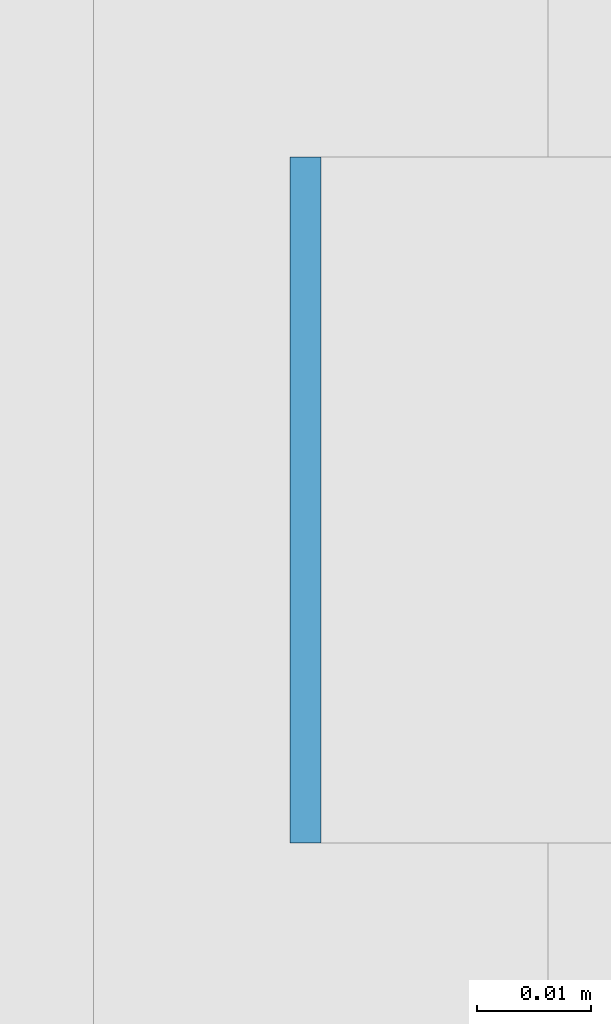
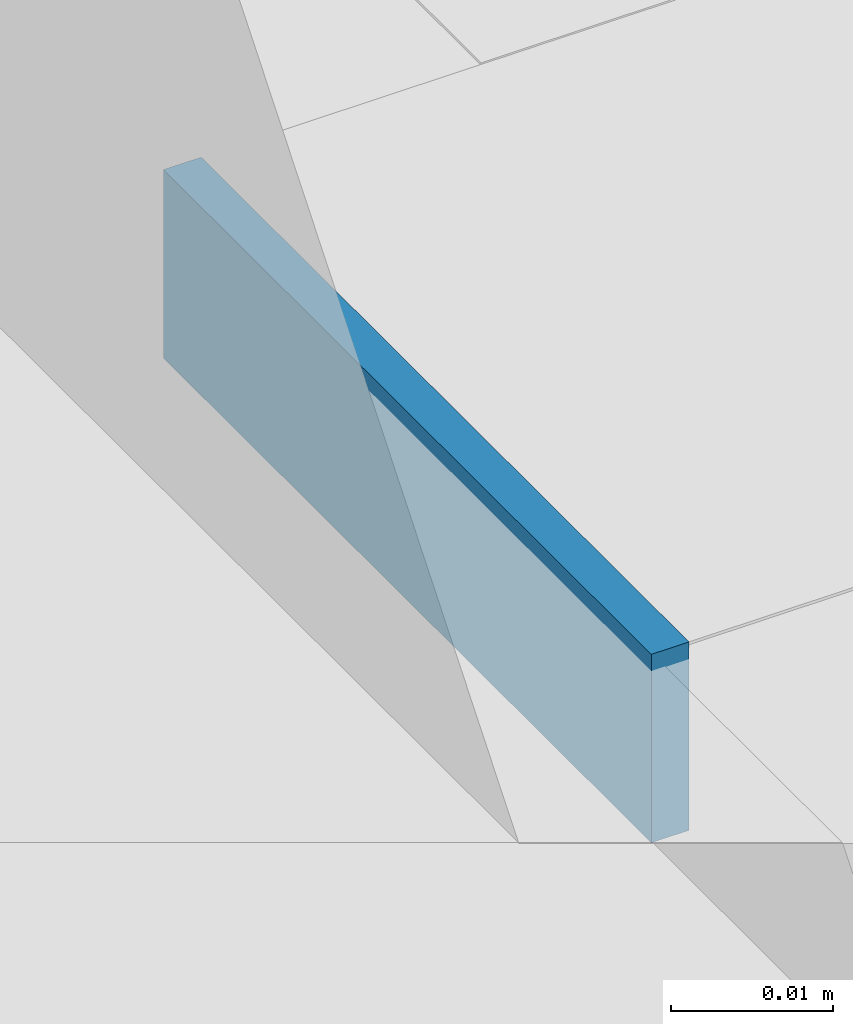
# One storey, part 463 of 646: 1 discrete accessory.
"""IFC4 building model written with IfcOpenShell, lengths in metres."""

from ifc_helpers import new_model, si_unit, direction, frame, origin, origin_2d, place, context, subcontext, project, spatial, rectangle, extrude, material, type_object, element, save


model = new_model("IFC4")

# Units and contexts
model_context = context("Model", 3, precision=1e-05, world=origin(), true_north=direction((0.0, 1.0)))
body_context = subcontext(model_context, "Body", "Model", "MODEL_VIEW")
ifc_project = project(units=[si_unit("LENGTHUNIT", "METRE"), si_unit("AREAUNIT", "SQUARE_METRE"), si_unit("VOLUMEUNIT", "CUBIC_METRE"), si_unit("PLANEANGLEUNIT", "RADIAN"), si_unit("MASSUNIT", "GRAM", prefix="KILO")], contexts=[model_context])

# Site, building, storey
site_placement = place(None, origin())
site = spatial("IfcSite", under=ifc_project, at=site_placement, CompositionType="ELEMENT")
building_placement = place(site_placement, origin())
building = spatial("IfcBuilding", under=site, at=building_placement, Name="Silverbay Arena", CompositionType="ELEMENT")
storey_placement = place(building_placement, frame((0.0, 0.0, 33.5)))
storey = spatial("IfcBuildingStorey", under=building, at=storey_placement, Name="L05", CompositionType="ELEMENT", Elevation=33.5)

# Discrete accessory
ifc_material = material(Name="Steel S355", Category="steel")
discrete_accessory_type = type_object("IfcDiscreteAccessoryType", Name="Steel bracket plate", PredefinedType="BRACKET", material=ifc_material)
discrete_accessory_placement = place(storey_placement, frame((207.128662109375, 46.28564453125, 12.98583984375), z_axis=(0.0, 0.0, 1.0), x_axis=(1.0, 0.0, 0.0)))
element("IfcDiscreteAccessory", 1, at=discrete_accessory_placement, inside=storey, type_object=discrete_accessory_type, Name="Curtain wall packing plate", PredefinedType="BRACKET", context=body_context, shape_type="SweptSolid", body=[
    extrude(rectangle(XDim=0.002685546875, YDim=0.06005859375, at=origin_2d()), origin(), (0.0, 0.0, 1.0), 0.01416015625),
])

save(model, "model.ifc")
